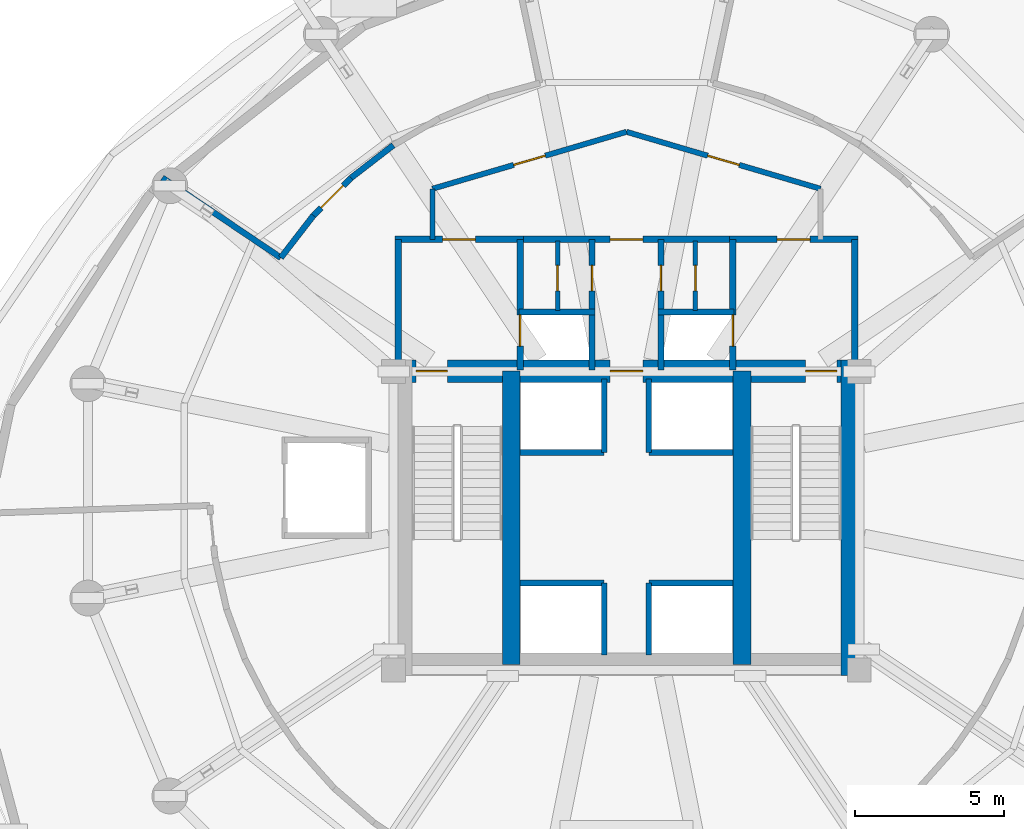
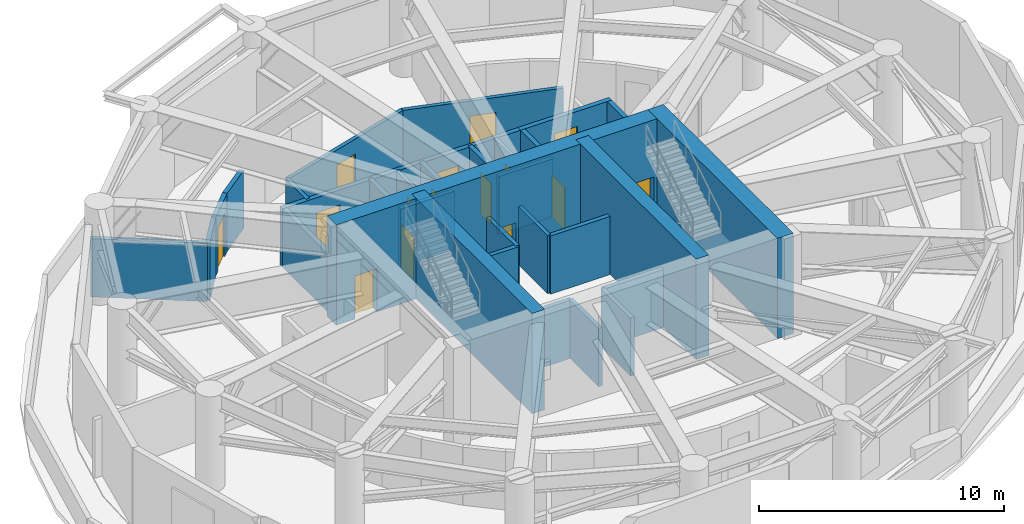
# One storey, part 4 of 7: 32 walls, 15 doors, 15 openings.
"""IFC4 building model written with IfcOpenShell, lengths in metres."""

from ifc_helpers import new_model, si_unit, direction, frame, frame_2d, origin, place, context, subcontext, project, spatial, rectangle, extrude, material, layer, layer_set, type_object, element, fill, save


model = new_model("IFC4")

# Units and contexts
model_context = context("Model", 3, precision=1e-05, world=origin(), true_north=direction((0.0, 1.0)))
body_context = subcontext(model_context, "Body", "Model", "MODEL_VIEW")
ifc_project = project(units=[si_unit("LENGTHUNIT", "METRE"), si_unit("AREAUNIT", "SQUARE_METRE"), si_unit("VOLUMEUNIT", "CUBIC_METRE"), si_unit("PLANEANGLEUNIT", "RADIAN"), si_unit("MASSUNIT", "GRAM", prefix="KILO"), si_unit("THERMODYNAMICTEMPERATUREUNIT", "KELVIN"), si_unit("POWERUNIT", "WATT")], contexts=[model_context])

# Site, building, storey
site_placement = place(None, origin())
site = spatial("IfcSite", under=ifc_project, at=site_placement, CompositionType="ELEMENT")
building_placement = place(site_placement, origin())
building = spatial("IfcBuilding", under=site, at=building_placement, Name="Ocrelia Relay Tower", CompositionType="ELEMENT")
storey_placement = place(building_placement, frame((0.0, 0.0, 157.800048828125)))
storey = spatial("IfcBuildingStorey", under=building, at=storey_placement, Name="L37", CompositionType="ELEMENT", Elevation=157.800048828125)

# Wall, openings, doors
ifc_material_1 = material(Name="Concrete C60/75", Category="concrete")
ifc_layer_1 = layer(ifc_material_1, 0.75, Name="Concrete C60/75")
ifc_layer_set_1 = layer_set([ifc_layer_1], Name="Concrete C60/75")
wall_type_1 = type_object("IfcWallType", Name="CW-CORE-750", PredefinedType="SHEAR", material=ifc_layer_set_1)
wall_1_placement = place(storey_placement, frame((26.072021484375, 30.012939453125, 0.0), z_axis=(0.0, 0.0, 1.0), x_axis=(1.0, 0.0, 0.0)))
wall_1 = element("IfcWall", 1, at=wall_1_placement, inside=storey, type_object=wall_type_1, Name="L37 Core Shear Wall N", PredefinedType="SHEAR", context=body_context, shape_type="SweptSolid", body=[
    extrude(rectangle(XDim=15.865966796875, YDim=0.75, at=frame_2d((7.93310546875, 0.0))), origin(), (0.0, 0.0, 1.0), 5.0),
])
opening_1_placement = place(wall_1_placement, frame((0.8779296875, 0.0, 0.0)))
opening_1 = element("IfcOpeningElement", 2, at=opening_1_placement, cuts=wall_1, Name="Opening D-FD90", PredefinedType="OPENING", context=body_context, shape_type="SweptSolid", body=[
    extrude(rectangle(XDim=1.050048828125, YDim=2.14990234375, at=frame_2d((0.52490234375, 1.074951171875))), frame((0.0, 0.385009765625, 0.0), z_axis=(0.0, -1.0, 0.0), x_axis=(1.0, 0.0, 0.0)), (0.0, 0.0, 1.0), 0.77001953125),
])
opening_2_placement = place(wall_1_placement, frame((13.927978515625, 0.0, 0.0)))
opening_2 = element("IfcOpeningElement", 3, at=opening_2_placement, cuts=wall_1, Name="Opening D-FD90", PredefinedType="OPENING", context=body_context, shape_type="SweptSolid", body=[
    extrude(rectangle(XDim=1.050048828125, YDim=2.14990234375, at=frame_2d((0.52490234375, 1.074951171875))), frame((0.0, 0.385009765625, 0.0), z_axis=(0.0, -1.0, 0.0), x_axis=(1.0, 0.0, 0.0)), (0.0, 0.0, 1.0), 0.77001953125),
])
opening_3_placement = place(wall_1_placement, frame((7.3779296875, 0.0, 0.0)))
opening_3 = element("IfcOpeningElement", 4, at=opening_3_placement, cuts=wall_1, Name="Opening D-FD60", PredefinedType="OPENING", context=body_context, shape_type="SweptSolid", body=[
    extrude(rectangle(XDim=1.10009765625, YDim=2.14990234375, at=frame_2d((0.550048828125, 1.074951171875))), frame((0.0, 0.385009765625, 0.0), z_axis=(0.0, -1.0, 0.0), x_axis=(1.0, 0.0, 0.0)), (0.0, 0.0, 1.0), 0.77001953125),
])
ifc_material_2 = material(Name="Timber-core 60-min acoustic fire door", Category="wood")
door_type_1 = type_object("IfcDoorType", Name="DR-LOBBY-FD60-1100", OperationType="NOTDEFINED", PredefinedType="DOOR", material=ifc_material_2)
door_1_placement = place(opening_3_placement, origin())
door_1 = element("IfcDoor", 5, at=door_1_placement, inside=storey, type_object=door_type_1, Name="L37 Core Lift Lobby North Fire Door", OperationType="SINGLE_SWING_RIGHT", OverallHeight=2.14990234375, OverallWidth=1.10009765625, PredefinedType="DOOR", context=body_context, shape_type="SweptSolid", body=[
    extrude(rectangle(XDim=1.10009765625, YDim=2.14990234375, at=frame_2d((0.550048828125, 1.074951171875))), frame((0.0, 0.02490234375, 0.0), z_axis=(0.0, -1.0, 0.0), x_axis=(1.0, 0.0, 0.0)), (0.0, 0.0, 1.0), 0.050048828125),
])
fill(opening_3, door_1)
ifc_material_3 = material(Name="Steel S355 90-min fire door", Category="steel")
door_type_2 = type_object("IfcDoorType", Name="DR-STAIR-FD90-1050", OperationType="NOTDEFINED", PredefinedType="DOOR", material=ifc_material_3)
door_2_placement = place(opening_1_placement, origin())
door_2 = element("IfcDoor", 6, at=door_2_placement, inside=storey, type_object=door_type_2, Name="L37 Stair ST1 Fire Door", OperationType="SINGLE_SWING_RIGHT", OverallHeight=2.14990234375, OverallWidth=1.050048828125, PredefinedType="DOOR", context=body_context, shape_type="SweptSolid", body=[
    extrude(rectangle(XDim=1.050048828125, YDim=2.14990234375, at=frame_2d((0.52490234375, 1.074951171875))), frame((0.0, 0.02490234375, 0.0), z_axis=(0.0, -1.0, 0.0), x_axis=(1.0, 0.0, 0.0)), (0.0, 0.0, 1.0), 0.050048828125),
])
fill(opening_1, door_2)
door_3_placement = place(opening_2_placement, origin())
door_3 = element("IfcDoor", 7, at=door_3_placement, inside=storey, type_object=door_type_2, Name="L37 Stair ST2 Fire Door", OperationType="SINGLE_SWING_LEFT", OverallHeight=2.14990234375, OverallWidth=1.050048828125, PredefinedType="DOOR", context=body_context, shape_type="SweptSolid", body=[
    extrude(rectangle(XDim=1.050048828125, YDim=2.14990234375, at=frame_2d((0.52490234375, 1.074951171875))), frame((0.0, 0.02490234375, 0.0), z_axis=(0.0, -1.0, 0.0), x_axis=(1.0, 0.0, 0.0)), (0.0, 0.0, 1.0), 0.050048828125),
])
fill(opening_2, door_3)

# Walls
wall_2_placement = place(storey_placement, frame((41.56298828125, 19.81201171875, 0.0), z_axis=(0.0, 0.0, 1.0), x_axis=(0.0, 1.0, 0.0)))
element("IfcWall", 8, at=wall_2_placement, inside=storey, type_object=wall_type_1, Name="L37 Core Shear Wall E", PredefinedType="SHEAR", context=body_context, shape_type="SweptSolid", body=[
    extrude(rectangle(XDim=10.575927734375, YDim=0.75, at=frame_2d((5.2880859375, 0.0))), origin(), (0.0, 0.0, 1.0), 5.0),
])
for number, where, z_axis, x_axis, name in (
    (9, (30.137939453125, 20.18701171875, 0.0), (0.0, 0.0, 1.0), (0.0, 1.0, 0.0), "L37 Core Shear Wall SPW"),
    (10, (37.8720703125, 20.18701171875, 0.0), (0.0, 0.0, 1.0), (0.0, 1.0, 0.0), "L37 Core Shear Wall SPE"),
):
    element("IfcWall", number, at=place(storey_placement, frame(where, z_axis=z_axis, x_axis=x_axis)), inside=storey, type_object=wall_type_1, Name=name, PredefinedType="SHEAR", context=body_context, shape_type="SweptSolid", body=[
        extrude(rectangle(XDim=9.825927734375, YDim=0.60009765625, at=frame_2d((4.9130859375, 0.0))), origin(), (0.0, 0.0, 1.0), 5.0),
    ])
ifc_material_4 = material(Name="Gypsum Fireboard Partition EI60", Category="gypsum")
ifc_layer_2 = layer(ifc_material_4, 0.179931640625, Name="Gypsum Fireboard Partition EI60")
ifc_layer_set_2 = layer_set([ifc_layer_2], Name="Gypsum Fireboard Partition EI60")
wall_type_2 = type_object("IfcWallType", Name="W-CORR-EI60-180", PredefinedType="PARTITIONING", material=ifc_layer_set_2)
wall_3_placement = place(storey_placement, frame((27.5, 34.429931640625, 0.0), z_axis=(0.0, 0.0, 1.0), x_axis=(0.0, 1.0, 0.0)))
element("IfcWall", 11, at=wall_3_placement, inside=storey, type_object=wall_type_2, Name="L37 Smoke Lobby West Return", PredefinedType="PARTITIONING", context=body_context, shape_type="SweptSolid", body=[
    extrude(rectangle(XDim=1.69287109375, YDim=0.179931640625, at=frame_2d((0.846435546875, 0.0))), origin(), (0.0, 0.0, 1.0), 2.89990234375),
])

# Wall, opening, door
wall_4_placement = place(storey_placement, frame((27.5, 36.122802734375, 0.0), z_axis=(0.0, 0.0, 1.0), x_axis=(0.959546654541, 0.281549671923, 0.0)))
wall_4 = element("IfcWall", 12, at=wall_4_placement, inside=storey, type_object=wall_type_2, Name="L37 North Smoke Lobby W Screen Wall", PredefinedType="PARTITIONING", context=body_context, shape_type="SweptSolid", body=[
    extrude(rectangle(XDim=6.77392578125, YDim=0.179931640625, at=frame_2d((3.386962890625, 0.0))), origin(), (0.0, 0.0, 1.0), 2.89990234375),
])
opening_4_placement = place(wall_4_placement, frame((2.8369140625, 0.0, 0.0)))
opening_4 = element("IfcOpeningElement", 13, at=opening_4_placement, cuts=wall_4, Name="Opening D-FD60", PredefinedType="OPENING", context=body_context, shape_type="SweptSolid", body=[
    extrude(rectangle(XDim=1.10009765625, YDim=2.14990234375, at=frame_2d((0.550048828125, 1.074951171875))), frame((0.0, 0.10009765625, 0.0), z_axis=(0.0, -1.0, 0.0), x_axis=(1.0, 0.0, 0.0)), (0.0, 0.0, 1.0), 0.199951171875),
])
door_4_placement = place(opening_4_placement, origin())
door_4 = element("IfcDoor", 14, at=door_4_placement, inside=storey, type_object=door_type_1, Name="L37 North Smoke Lobby W Fire Door", OperationType="SINGLE_SWING_RIGHT", OverallHeight=2.14990234375, OverallWidth=1.10009765625, PredefinedType="DOOR", context=body_context, shape_type="SweptSolid", body=[
    extrude(rectangle(XDim=1.10009765625, YDim=2.14990234375, at=frame_2d((0.550048828125, 1.074951171875))), frame((0.0, 0.02490234375, 0.0), z_axis=(0.0, -1.0, 0.0), x_axis=(1.0, 0.0, 0.0)), (0.0, 0.0, 1.0), 0.050048828125),
])
fill(opening_4, door_4)

wall_5_placement = place(storey_placement, frame((34.0, 38.030029296875, 0.0), z_axis=(0.0, 0.0, 1.0), x_axis=(0.959546654541, -0.281549671923, 0.0)))
wall_5 = element("IfcWall", 15, at=wall_5_placement, inside=storey, type_object=wall_type_2, Name="L37 North Smoke Lobby E Screen Wall", PredefinedType="PARTITIONING", context=body_context, shape_type="SweptSolid", body=[
    extrude(rectangle(XDim=6.77392578125, YDim=0.179931640625, at=frame_2d((3.386962890625, 0.0))), origin(), (0.0, 0.0, 1.0), 2.89990234375),
])
opening_5_placement = place(wall_5_placement, frame((2.8369140625, 0.0, 0.0)))
opening_5 = element("IfcOpeningElement", 16, at=opening_5_placement, cuts=wall_5, Name="Opening D-FD60", PredefinedType="OPENING", context=body_context, shape_type="SweptSolid", body=[
    extrude(rectangle(XDim=1.10009765625, YDim=2.14990234375, at=frame_2d((0.550048828125, 1.074951171875))), frame((0.0, 0.10009765625, 0.0), z_axis=(0.0, -1.0, 0.0), x_axis=(1.0, 0.0, 0.0)), (0.0, 0.0, 1.0), 0.199951171875),
])
door_5_placement = place(opening_5_placement, origin())
door_5 = element("IfcDoor", 17, at=door_5_placement, inside=storey, type_object=door_type_1, Name="L37 North Smoke Lobby E Fire Door", OperationType="SINGLE_SWING_LEFT", OverallHeight=2.14990234375, OverallWidth=1.10009765625, PredefinedType="DOOR", context=body_context, shape_type="SweptSolid", body=[
    extrude(rectangle(XDim=1.10009765625, YDim=2.14990234375, at=frame_2d((0.550048828125, 1.074951171875))), frame((0.0, 0.02490234375, 0.0), z_axis=(0.0, -1.0, 0.0), x_axis=(1.0, 0.0, 0.0)), (0.0, 0.0, 1.0), 0.050048828125),
])
fill(opening_5, door_5)

# Wall
ifc_material_5 = material(Name="Concrete C50/60", Category="concrete")
ifc_layer_3 = layer(ifc_material_5, 0.219970703125, Name="Concrete C50/60")
ifc_layer_set_3 = layer_set([ifc_layer_3], Name="Concrete C50/60")
wall_type_3 = type_object("IfcWallType", Name="W-FFL-EI120-220", PredefinedType="SOLIDWALL", material=ifc_layer_set_3)
wall_6_placement = place(storey_placement, frame((26.35009765625, 30.050048828125, 0.0), z_axis=(0.0, 0.0, 1.0), x_axis=(0.0, 1.0, 0.0)))
element("IfcWall", 18, at=wall_6_placement, inside=storey, type_object=wall_type_3, Name="L37 W Fire Service Lift Lobby West Wall", PredefinedType="SOLIDWALL", context=body_context, shape_type="SweptSolid", body=[
    extrude(rectangle(XDim=4.3798828125, YDim=0.219970703125, at=frame_2d((2.18994140625, 0.0))), origin(), (0.0, 0.0, 1.0), 2.89990234375),
])

# Wall, opening, door
wall_7_placement = place(storey_placement, frame((30.43994140625, 30.050048828125, 0.0), z_axis=(0.0, 0.0, 1.0), x_axis=(0.0, 1.0, 0.0)))
wall_7 = element("IfcWall", 19, at=wall_7_placement, inside=storey, type_object=wall_type_3, Name="L37 W Fire Service Lift Lobby East Wall", PredefinedType="SOLIDWALL", context=body_context, shape_type="SweptSolid", body=[
    extrude(rectangle(XDim=4.3798828125, YDim=0.219970703125, at=frame_2d((2.18994140625, 0.0))), origin(), (0.0, 0.0, 1.0), 2.89990234375),
])
opening_6_placement = place(wall_7_placement, frame((0.800048828125, 0.0, 0.0)))
opening_6 = element("IfcOpeningElement", 20, at=opening_6_placement, cuts=wall_7, Name="Opening LD-FFL1", PredefinedType="OPENING", context=body_context, shape_type="SweptSolid", body=[
    extrude(rectangle(XDim=1.050048828125, YDim=2.10009765625, at=frame_2d((0.52490234375, 1.050048828125))), frame((0.0, 0.1201171875, 0.0), z_axis=(0.0, -1.0, 0.0), x_axis=(1.0, 0.0, 0.0)), (0.0, 0.0, 1.0), 0.239990234375),
])
ifc_material_6 = material(Name="Brushed stainless steel S355 lift landing door", Category="steel")
door_type_3 = type_object("IfcDoorType", Name="DR-LIFT-LAND-1050", OperationType="DOUBLE_DOOR_SLIDING", PredefinedType="USERDEFINED", material=ifc_material_6)
door_6_placement = place(opening_6_placement, origin())
door_6 = element("IfcDoor", 21, at=door_6_placement, inside=storey, type_object=door_type_3, Name="L37 Firefighting Lift FFL1 Sliding Landing Door", ObjectType="LANDING DOOR", OperationType="DOUBLE_DOOR_SLIDING", OverallHeight=2.10009765625, OverallWidth=1.050048828125, PredefinedType="USERDEFINED", context=body_context, shape_type="SweptSolid", body=[
    extrude(rectangle(XDim=1.050048828125, YDim=2.10009765625, at=frame_2d((0.52490234375, 1.050048828125))), frame((0.0, 0.02490234375, 0.0), z_axis=(0.0, -1.0, 0.0), x_axis=(1.0, 0.0, 0.0)), (0.0, 0.0, 1.0), 0.050048828125),
])
fill(opening_6, door_6)

wall_8_placement = place(storey_placement, frame((26.239990234375, 34.429931640625, 0.0), z_axis=(0.0, 0.0, 1.0), x_axis=(1.0, 0.0, 0.0)))
wall_8 = element("IfcWall", 22, at=wall_8_placement, inside=storey, type_object=wall_type_3, Name="L37 W Fire Service Lift Lobby North Wall", PredefinedType="SOLIDWALL", context=body_context, shape_type="SweptSolid", body=[
    extrude(rectangle(XDim=4.31005859375, YDim=0.219970703125, at=frame_2d((2.155029296875, 0.0))), origin(), (0.0, 0.0, 1.0), 2.89990234375),
])
opening_7_placement = place(wall_8_placement, frame((1.60009765625, 0.0, 0.0)))
opening_7 = element("IfcOpeningElement", 23, at=opening_7_placement, cuts=wall_8, Name="Opening D-FD60", PredefinedType="OPENING", context=body_context, shape_type="SweptSolid", body=[
    extrude(rectangle(XDim=1.10009765625, YDim=2.14990234375, at=frame_2d((0.550048828125, 1.074951171875))), frame((0.0, 0.1201171875, 0.0), z_axis=(0.0, -1.0, 0.0), x_axis=(1.0, 0.0, 0.0)), (0.0, 0.0, 1.0), 0.239990234375),
])
door_7_placement = place(opening_7_placement, origin())
door_7 = element("IfcDoor", 24, at=door_7_placement, inside=storey, type_object=door_type_1, Name="L37 W Fire Service Lift Lobby Exit Door", OperationType="SINGLE_SWING_LEFT", OverallHeight=2.14990234375, OverallWidth=1.10009765625, PredefinedType="DOOR", context=body_context, shape_type="SweptSolid", body=[
    extrude(rectangle(XDim=1.10009765625, YDim=2.14990234375, at=frame_2d((0.550048828125, 1.074951171875))), frame((0.0, 0.02490234375, 0.0), z_axis=(0.0, -1.0, 0.0), x_axis=(1.0, 0.0, 0.0)), (0.0, 0.0, 1.0), 0.050048828125),
])
fill(opening_7, door_7)

wall_9_placement = place(storey_placement, frame((37.56005859375, 30.050048828125, 0.0), z_axis=(0.0, 0.0, 1.0), x_axis=(0.0, 1.0, 0.0)))
wall_9 = element("IfcWall", 25, at=wall_9_placement, inside=storey, type_object=wall_type_3, Name="L37 E Fire Service Lift Lobby West Wall", PredefinedType="SOLIDWALL", context=body_context, shape_type="SweptSolid", body=[
    extrude(rectangle(XDim=4.3798828125, YDim=0.219970703125, at=frame_2d((2.18994140625, 0.0))), origin(), (0.0, 0.0, 1.0), 2.89990234375),
])
opening_8_placement = place(wall_9_placement, frame((0.800048828125, 0.0, 0.0)))
opening_8 = element("IfcOpeningElement", 26, at=opening_8_placement, cuts=wall_9, Name="Opening LD-FFL2", PredefinedType="OPENING", context=body_context, shape_type="SweptSolid", body=[
    extrude(rectangle(XDim=1.050048828125, YDim=2.10009765625, at=frame_2d((0.52490234375, 1.050048828125))), frame((0.0, 0.1201171875, 0.0), z_axis=(0.0, -1.0, 0.0), x_axis=(1.0, 0.0, 0.0)), (0.0, 0.0, 1.0), 0.239990234375),
])
door_8_placement = place(opening_8_placement, origin())
door_8 = element("IfcDoor", 27, at=door_8_placement, inside=storey, type_object=door_type_3, Name="L37 Firefighting Lift FFL2 Sliding Landing Door", ObjectType="LANDING DOOR", OperationType="DOUBLE_DOOR_SLIDING", OverallHeight=2.10009765625, OverallWidth=1.050048828125, PredefinedType="USERDEFINED", context=body_context, shape_type="SweptSolid", body=[
    extrude(rectangle(XDim=1.050048828125, YDim=2.10009765625, at=frame_2d((0.52490234375, 1.050048828125))), frame((0.0, 0.02490234375, 0.0), z_axis=(0.0, -1.0, 0.0), x_axis=(1.0, 0.0, 0.0)), (0.0, 0.0, 1.0), 0.050048828125),
])
fill(opening_8, door_8)

# Wall
wall_10_placement = place(storey_placement, frame((41.64990234375, 30.050048828125, 0.0), z_axis=(0.0, 0.0, 1.0), x_axis=(0.0, 1.0, 0.0)))
element("IfcWall", 28, at=wall_10_placement, inside=storey, type_object=wall_type_3, Name="L37 E Fire Service Lift Lobby East Wall", PredefinedType="SOLIDWALL", context=body_context, shape_type="SweptSolid", body=[
    extrude(rectangle(XDim=4.3798828125, YDim=0.219970703125, at=frame_2d((2.18994140625, 0.0))), origin(), (0.0, 0.0, 1.0), 2.89990234375),
])

# Wall, opening, door
wall_11_placement = place(storey_placement, frame((37.449951171875, 34.429931640625, 0.0), z_axis=(0.0, 0.0, 1.0), x_axis=(1.0, 0.0, 0.0)))
wall_11 = element("IfcWall", 29, at=wall_11_placement, inside=storey, type_object=wall_type_3, Name="L37 E Fire Service Lift Lobby North Wall", PredefinedType="SOLIDWALL", context=body_context, shape_type="SweptSolid", body=[
    extrude(rectangle(XDim=4.31005859375, YDim=0.219970703125, at=frame_2d((2.155029296875, 0.0))), origin(), (0.0, 0.0, 1.0), 2.89990234375),
])
opening_9_placement = place(wall_11_placement, frame((1.60009765625, 0.0, 0.0)))
opening_9 = element("IfcOpeningElement", 30, at=opening_9_placement, cuts=wall_11, Name="Opening D-FD60", PredefinedType="OPENING", context=body_context, shape_type="SweptSolid", body=[
    extrude(rectangle(XDim=1.10009765625, YDim=2.14990234375, at=frame_2d((0.550048828125, 1.074951171875))), frame((0.0, 0.1201171875, 0.0), z_axis=(0.0, -1.0, 0.0), x_axis=(1.0, 0.0, 0.0)), (0.0, 0.0, 1.0), 0.239990234375),
])
door_9_placement = place(opening_9_placement, origin())
door_9 = element("IfcDoor", 31, at=door_9_placement, inside=storey, type_object=door_type_1, Name="L37 E Fire Service Lift Lobby Exit Door", OperationType="SINGLE_SWING_LEFT", OverallHeight=2.14990234375, OverallWidth=1.10009765625, PredefinedType="DOOR", context=body_context, shape_type="SweptSolid", body=[
    extrude(rectangle(XDim=1.10009765625, YDim=2.14990234375, at=frame_2d((0.550048828125, 1.074951171875))), frame((0.0, 0.02490234375, 0.0), z_axis=(0.0, -1.0, 0.0), x_axis=(1.0, 0.0, 0.0)), (0.0, 0.0, 1.0), 0.050048828125),
])
fill(opening_9, door_9)

wall_12_placement = place(storey_placement, frame((30.43994140625, 34.429931640625, 0.0), z_axis=(0.0, 0.0, 1.0), x_axis=(1.0, 0.0, 0.0)))
wall_12 = element("IfcWall", 32, at=wall_12_placement, inside=storey, type_object=wall_type_3, Name="L37 North Core Vestibule Wall", PredefinedType="SOLIDWALL", context=body_context, shape_type="SweptSolid", body=[
    extrude(rectangle(XDim=7.1201171875, YDim=0.219970703125, at=frame_2d((3.56005859375, 0.0))), origin(), (0.0, 0.0, 1.0), 2.89990234375),
])
opening_10_placement = place(wall_12_placement, frame((3.010009765625, 0.0, 0.0)))
opening_10 = element("IfcOpeningElement", 33, at=opening_10_placement, cuts=wall_12, Name="Opening D-FD60", PredefinedType="OPENING", context=body_context, shape_type="SweptSolid", body=[
    extrude(rectangle(XDim=1.10009765625, YDim=2.14990234375, at=frame_2d((0.550048828125, 1.074951171875))), frame((0.0, 0.1201171875, 0.0), z_axis=(0.0, -1.0, 0.0), x_axis=(1.0, 0.0, 0.0)), (0.0, 0.0, 1.0), 0.239990234375),
])
door_10_placement = place(opening_10_placement, origin())
door_10 = element("IfcDoor", 34, at=door_10_placement, inside=storey, type_object=door_type_1, Name="L37 North Core Vestibule Corridor Door", OperationType="SINGLE_SWING_LEFT", OverallHeight=2.14990234375, OverallWidth=1.10009765625, PredefinedType="DOOR", context=body_context, shape_type="SweptSolid", body=[
    extrude(rectangle(XDim=1.10009765625, YDim=2.14990234375, at=frame_2d((0.550048828125, 1.074951171875))), frame((0.0, 0.02490234375, 0.0), z_axis=(0.0, -1.0, 0.0), x_axis=(1.0, 0.0, 0.0)), (0.0, 0.0, 1.0), 0.050048828125),
])
fill(opening_10, door_10)

ifc_material_7 = material(Name="Acoustic Fireboard Partition EI60", Category="gypsum")
ifc_layer_4 = layer(ifc_material_7, 0.14990234375, Name="Acoustic Fireboard Partition EI60")
ifc_layer_set_4 = layer_set([ifc_layer_4], Name="Acoustic Fireboard Partition EI60")
wall_type_4 = type_object("IfcWallType", Name="W-PART-150", PredefinedType="PARTITIONING", material=ifc_layer_set_4)
wall_13_placement = place(storey_placement, frame((31.68994140625, 32.050048828125, 0.0), z_axis=(0.0, 0.0, 1.0), x_axis=(0.0, 1.0, 0.0)))
wall_13 = element("IfcWall", 35, at=wall_13_placement, inside=storey, type_object=wall_type_4, Name="L37 West Core Support Partition", PredefinedType="PARTITIONING", context=body_context, shape_type="SweptSolid", body=[
    extrude(rectangle(XDim=2.329833984375, YDim=0.14990234375, at=frame_2d((1.1650390625, 0.0))), origin(), (0.0, 0.0, 1.0), 2.89990234375),
])
opening_11_placement = place(wall_13_placement, frame((0.64990234375, 0.0, 0.0)))
opening_11 = element("IfcOpeningElement", 36, at=opening_11_placement, cuts=wall_13, Name="Opening D-RS86", PredefinedType="OPENING", context=body_context, shape_type="SweptSolid", body=[
    extrude(rectangle(XDim=0.860107421875, YDim=2.050048828125, at=frame_2d((0.43017578125, 1.02490234375))), frame((0.0, 0.0849609375, 0.0), z_axis=(0.0, -1.0, 0.0), x_axis=(1.0, 0.0, 0.0)), (0.0, 0.0, 1.0), 0.169921875),
])
ifc_material_8 = material(Name="Steel S355 riser access fire door", Category="steel")
door_type_4 = type_object("IfcDoorType", Name="DR-RISER-TRAP-860", OperationType="NOTDEFINED", PredefinedType="TRAPDOOR", material=ifc_material_8)
door_11_placement = place(opening_11_placement, origin())
door_11 = element("IfcDoor", 37, at=door_11_placement, inside=storey, type_object=door_type_4, Name="L37 West Core Store Connecting Door", OperationType="SINGLE_SWING_RIGHT", OverallHeight=2.050048828125, OverallWidth=0.860107421875, PredefinedType="TRAPDOOR", context=body_context, shape_type="SweptSolid", body=[
    extrude(rectangle(XDim=0.860107421875, YDim=2.050048828125, at=frame_2d((0.43017578125, 1.02490234375))), frame((0.0, 0.02490234375, 0.0), z_axis=(0.0, -1.0, 0.0), x_axis=(1.0, 0.0, 0.0)), (0.0, 0.0, 1.0), 0.050048828125),
])
fill(opening_11, door_11)

wall_14_placement = place(storey_placement, frame((36.31005859375, 32.050048828125, 0.0), z_axis=(0.0, 0.0, 1.0), x_axis=(0.0, 1.0, 0.0)))
wall_14 = element("IfcWall", 38, at=wall_14_placement, inside=storey, type_object=wall_type_4, Name="L37 East Core Support Partition", PredefinedType="PARTITIONING", context=body_context, shape_type="SweptSolid", body=[
    extrude(rectangle(XDim=2.329833984375, YDim=0.14990234375, at=frame_2d((1.1650390625, 0.0))), origin(), (0.0, 0.0, 1.0), 2.89990234375),
])
opening_12_placement = place(wall_14_placement, frame((0.64990234375, 0.0, 0.0)))
opening_12 = element("IfcOpeningElement", 39, at=opening_12_placement, cuts=wall_14, Name="Opening D-RS86", PredefinedType="OPENING", context=body_context, shape_type="SweptSolid", body=[
    extrude(rectangle(XDim=0.860107421875, YDim=2.050048828125, at=frame_2d((0.43017578125, 1.02490234375))), frame((0.0, 0.0849609375, 0.0), z_axis=(0.0, -1.0, 0.0), x_axis=(1.0, 0.0, 0.0)), (0.0, 0.0, 1.0), 0.169921875),
])
door_12_placement = place(opening_12_placement, origin())
door_12 = element("IfcDoor", 40, at=door_12_placement, inside=storey, type_object=door_type_4, Name="L37 East Core Store Connecting Door", OperationType="SINGLE_SWING_LEFT", OverallHeight=2.050048828125, OverallWidth=0.860107421875, PredefinedType="TRAPDOOR", context=body_context, shape_type="SweptSolid", body=[
    extrude(rectangle(XDim=0.860107421875, YDim=2.050048828125, at=frame_2d((0.43017578125, 1.02490234375))), frame((0.0, 0.02490234375, 0.0), z_axis=(0.0, -1.0, 0.0), x_axis=(1.0, 0.0, 0.0)), (0.0, 0.0, 1.0), 0.050048828125),
])
fill(opening_12, door_12)

# Wall
ifc_layer_5 = layer(ifc_material_5, 0.199951171875, Name="Concrete C50/60")
ifc_layer_set_5 = layer_set([ifc_layer_5], Name="Concrete C50/60")
wall_type_5 = type_object("IfcWallType", Name="W-SHAFT-EI120-200", PredefinedType="SOLIDWALL", material=ifc_layer_set_5)
wall_15_placement = place(storey_placement, frame((30.39990234375, 32.0, 0.0), z_axis=(0.0, 0.0, 1.0), x_axis=(1.0, 0.0, 0.0)))
element("IfcWall", 41, at=wall_15_placement, inside=storey, type_object=wall_type_5, Name="L37 FFL1 Hoistway North Wall", PredefinedType="SOLIDWALL", context=body_context, shape_type="SweptSolid", body=[
    extrude(rectangle(XDim=2.550048828125, YDim=0.199951171875, at=frame_2d((1.27490234375, 0.0))), origin(), (0.0, 0.0, 1.0), 2.89990234375),
])

# Wall, opening, door
wall_16_placement = place(storey_placement, frame((32.85009765625, 30.050048828125, 0.0), z_axis=(0.0, 0.0, 1.0), x_axis=(0.0, 1.0, 0.0)))
wall_16 = element("IfcWall", 42, at=wall_16_placement, inside=storey, type_object=wall_type_5, Name="L37 FFL1 and Service Vestibule Wall", PredefinedType="SOLIDWALL", context=body_context, shape_type="SweptSolid", body=[
    extrude(rectangle(XDim=4.3798828125, YDim=0.199951171875, at=frame_2d((2.18994140625, 0.0))), origin(), (0.0, 0.0, 1.0), 2.89990234375),
])
opening_13_placement = place(wall_16_placement, frame((2.64990234375, 0.0, 0.0)))
opening_13 = element("IfcOpeningElement", 43, at=opening_13_placement, cuts=wall_16, Name="Opening D-RS86", PredefinedType="OPENING", context=body_context, shape_type="SweptSolid", body=[
    extrude(rectangle(XDim=0.860107421875, YDim=2.050048828125, at=frame_2d((0.43017578125, 1.02490234375))), frame((0.0, 0.10986328125, 0.0), z_axis=(0.0, -1.0, 0.0), x_axis=(1.0, 0.0, 0.0)), (0.0, 0.0, 1.0), 0.219970703125),
])
door_13_placement = place(opening_13_placement, origin())
door_13 = element("IfcDoor", 44, at=door_13_placement, inside=storey, type_object=door_type_4, Name="L37 Core Support Room W Door", OperationType="SINGLE_SWING_RIGHT", OverallHeight=2.050048828125, OverallWidth=0.860107421875, PredefinedType="TRAPDOOR", context=body_context, shape_type="SweptSolid", body=[
    extrude(rectangle(XDim=0.860107421875, YDim=2.050048828125, at=frame_2d((0.43017578125, 1.02490234375))), frame((0.0, 0.02490234375, 0.0), z_axis=(0.0, -1.0, 0.0), x_axis=(1.0, 0.0, 0.0)), (0.0, 0.0, 1.0), 0.050048828125),
])
fill(opening_13, door_13)

# Wall
wall_17_placement = place(storey_placement, frame((35.050048828125, 32.0, 0.0), z_axis=(0.0, 0.0, 1.0), x_axis=(1.0, 0.0, 0.0)))
element("IfcWall", 45, at=wall_17_placement, inside=storey, type_object=wall_type_5, Name="L37 FFL2 Hoistway North Wall", PredefinedType="SOLIDWALL", context=body_context, shape_type="SweptSolid", body=[
    extrude(rectangle(XDim=2.550048828125, YDim=0.199951171875, at=frame_2d((1.27490234375, 0.0))), origin(), (0.0, 0.0, 1.0), 2.89990234375),
])

# Wall, opening, door
wall_18_placement = place(storey_placement, frame((35.14990234375, 30.050048828125, 0.0), z_axis=(0.0, 0.0, 1.0), x_axis=(0.0, 1.0, 0.0)))
wall_18 = element("IfcWall", 46, at=wall_18_placement, inside=storey, type_object=wall_type_5, Name="L37 FFL2 and Service Vestibule Wall", PredefinedType="SOLIDWALL", context=body_context, shape_type="SweptSolid", body=[
    extrude(rectangle(XDim=4.3798828125, YDim=0.199951171875, at=frame_2d((2.18994140625, 0.0))), origin(), (0.0, 0.0, 1.0), 2.89990234375),
])
opening_14_placement = place(wall_18_placement, frame((2.64990234375, 0.0, 0.0)))
opening_14 = element("IfcOpeningElement", 47, at=opening_14_placement, cuts=wall_18, Name="Opening D-RS86", PredefinedType="OPENING", context=body_context, shape_type="SweptSolid", body=[
    extrude(rectangle(XDim=0.860107421875, YDim=2.050048828125, at=frame_2d((0.43017578125, 1.02490234375))), frame((0.0, 0.10986328125, 0.0), z_axis=(0.0, -1.0, 0.0), x_axis=(1.0, 0.0, 0.0)), (0.0, 0.0, 1.0), 0.219970703125),
])
door_14_placement = place(opening_14_placement, origin())
door_14 = element("IfcDoor", 48, at=door_14_placement, inside=storey, type_object=door_type_4, Name="L37 Core Support Room E Door", OperationType="SINGLE_SWING_RIGHT", OverallHeight=2.050048828125, OverallWidth=0.860107421875, PredefinedType="TRAPDOOR", context=body_context, shape_type="SweptSolid", body=[
    extrude(rectangle(XDim=0.860107421875, YDim=2.050048828125, at=frame_2d((0.43017578125, 1.02490234375))), frame((0.0, 0.02490234375, 0.0), z_axis=(0.0, -1.0, 0.0), x_axis=(1.0, 0.0, 0.0)), (0.0, 0.0, 1.0), 0.050048828125),
])
fill(opening_14, door_14)

# Walls
wall_19_placement = place(storey_placement, frame((30.43994140625, 22.919921875, 0.0), z_axis=(0.0, 0.0, 1.0), x_axis=(1.0, 0.0, 0.0)))
element("IfcWall", 49, at=wall_19_placement, inside=storey, type_object=wall_type_5, Name="L37 Low-Rise Lift Hoistway Wall W", PredefinedType="SOLIDWALL", context=body_context, shape_type="SweptSolid", body=[
    extrude(rectangle(XDim=2.81005859375, YDim=0.199951171875, at=frame_2d((1.405029296875, 0.0))), origin(), (0.0, 0.0, 1.0), 2.89990234375),
])
wall_20_placement = place(storey_placement, frame((33.25, 20.5, 0.0), z_axis=(0.0, 0.0, 1.0), x_axis=(0.0, 1.0, 0.0)))
element("IfcWall", 50, at=wall_20_placement, inside=storey, type_object=wall_type_5, Name="L37 Low-Rise Lift Throat Wall W", PredefinedType="SOLIDWALL", context=body_context, shape_type="SweptSolid", body=[
    extrude(rectangle(XDim=2.419921875, YDim=0.179931640625, at=frame_2d((1.2099609375, 0.0))), origin(), (0.0, 0.0, 1.0), 2.89990234375),
])
wall_21_placement = place(storey_placement, frame((34.75, 22.919921875, 0.0), z_axis=(0.0, 0.0, 1.0), x_axis=(1.0, 0.0, 0.0)))
element("IfcWall", 51, at=wall_21_placement, inside=storey, type_object=wall_type_5, Name="L37 Low-Rise Lift Hoistway Wall E", PredefinedType="SOLIDWALL", context=body_context, shape_type="SweptSolid", body=[
    extrude(rectangle(XDim=2.81005859375, YDim=0.199951171875, at=frame_2d((1.405029296875, 0.0))), origin(), (0.0, 0.0, 1.0), 2.89990234375),
])
wall_22_placement = place(storey_placement, frame((34.75, 20.5, 0.0), z_axis=(0.0, 0.0, 1.0), x_axis=(0.0, 1.0, 0.0)))
element("IfcWall", 52, at=wall_22_placement, inside=storey, type_object=wall_type_5, Name="L37 Low-Rise Lift Throat Wall E", PredefinedType="SOLIDWALL", context=body_context, shape_type="SweptSolid", body=[
    extrude(rectangle(XDim=2.419921875, YDim=0.179931640625, at=frame_2d((1.2099609375, 0.0))), origin(), (0.0, 0.0, 1.0), 2.89990234375),
])
wall_23_placement = place(storey_placement, frame((30.43994140625, 27.280029296875, 0.0), z_axis=(0.0, 0.0, 1.0), x_axis=(1.0, 0.0, 0.0)))
element("IfcWall", 53, at=wall_23_placement, inside=storey, type_object=wall_type_5, Name="L37 High-Rise Lift Hoistway Wall W", PredefinedType="SOLIDWALL", context=body_context, shape_type="SweptSolid", body=[
    extrude(rectangle(XDim=2.81005859375, YDim=0.199951171875, at=frame_2d((1.405029296875, 0.0))), origin(), (0.0, 0.0, 1.0), 2.89990234375),
])
wall_24_placement = place(storey_placement, frame((33.25, 27.280029296875, 0.0), z_axis=(0.0, 0.0, 1.0), x_axis=(0.0, 1.0, 0.0)))
element("IfcWall", 54, at=wall_24_placement, inside=storey, type_object=wall_type_5, Name="L37 High-Rise Lift Throat Wall W", PredefinedType="SOLIDWALL", context=body_context, shape_type="SweptSolid", body=[
    extrude(rectangle(XDim=2.469970703125, YDim=0.179931640625, at=frame_2d((1.23486328125, 0.0))), origin(), (0.0, 0.0, 1.0), 2.89990234375),
])
wall_25_placement = place(storey_placement, frame((34.75, 27.280029296875, 0.0), z_axis=(0.0, 0.0, 1.0), x_axis=(1.0, 0.0, 0.0)))
element("IfcWall", 55, at=wall_25_placement, inside=storey, type_object=wall_type_5, Name="L37 High-Rise Lift Hoistway Wall E", PredefinedType="SOLIDWALL", context=body_context, shape_type="SweptSolid", body=[
    extrude(rectangle(XDim=2.81005859375, YDim=0.199951171875, at=frame_2d((1.405029296875, 0.0))), origin(), (0.0, 0.0, 1.0), 2.89990234375),
])
wall_26_placement = place(storey_placement, frame((34.75, 27.280029296875, 0.0), z_axis=(0.0, 0.0, 1.0), x_axis=(0.0, 1.0, 0.0)))
element("IfcWall", 56, at=wall_26_placement, inside=storey, type_object=wall_type_5, Name="L37 High-Rise Lift Throat Wall E", PredefinedType="SOLIDWALL", context=body_context, shape_type="SweptSolid", body=[
    extrude(rectangle(XDim=2.469970703125, YDim=0.179931640625, at=frame_2d((1.23486328125, 0.0))), origin(), (0.0, 0.0, 1.0), 2.89990234375),
])
wall_27_placement = place(storey_placement, frame((22.418212890625, 33.81201171875, 0.0), z_axis=(0.0, 0.0, 1.0), x_axis=(0.611155812554, 0.791510311229, 0.0)))
element("IfcWall", 57, at=wall_27_placement, inside=storey, type_object=wall_type_5, Name="L37 West Area of Refuge Inner Wall 7", PredefinedType="SOLIDWALL", context=body_context, shape_type="SweptSolid", body=[
    extrude(rectangle(XDim=1.786865234375, YDim=0.199951171875, at=frame_2d((0.8935546875, 0.0))), origin(), (0.0, 0.0, 1.0), 2.89990234375),
])

# Wall, opening, door
wall_28_placement = place(storey_placement, frame((23.51025390625, 35.226318359375, 0.0), z_axis=(0.0, 0.0, 1.0), x_axis=(0.707106781187, 0.707106781187, 0.0)))
wall_28 = element("IfcWall", 58, at=wall_28_placement, inside=storey, type_object=wall_type_5, Name="L37 West Area of Refuge Inner Wall 8", PredefinedType="SOLIDWALL", context=body_context, shape_type="SweptSolid", body=[
    extrude(rectangle(XDim=1.786865234375, YDim=0.199951171875, at=frame_2d((0.8935546875, 0.0))), origin(), (0.0, 0.0, 1.0), 2.89990234375),
])
opening_15_placement = place(wall_28_placement, frame((0.368408203125, 0.0, 0.0)))
opening_15 = element("IfcOpeningElement", 59, at=opening_15_placement, cuts=wall_28, Name="Opening D-FD90", PredefinedType="OPENING", context=body_context, shape_type="SweptSolid", body=[
    extrude(rectangle(XDim=1.050048828125, YDim=2.14990234375, at=frame_2d((0.52490234375, 1.074951171875))), frame((0.0, 0.10986328125, 0.0), z_axis=(0.0, -1.0, 0.0), x_axis=(1.0, 0.0, 0.0)), (0.0, 0.0, 1.0), 0.219970703125),
])
door_15_placement = place(opening_15_placement, origin())
door_15 = element("IfcDoor", 60, at=door_15_placement, inside=storey, type_object=door_type_2, Name="L37 West Area of Refuge Fire Door", OperationType="SINGLE_SWING_RIGHT", OverallHeight=2.14990234375, OverallWidth=1.050048828125, PredefinedType="DOOR", context=body_context, shape_type="SweptSolid", body=[
    extrude(rectangle(XDim=1.050048828125, YDim=2.14990234375, at=frame_2d((0.52490234375, 1.074951171875))), frame((0.0, 0.02490234375, 0.0), z_axis=(0.0, -1.0, 0.0), x_axis=(1.0, 0.0, 0.0)), (0.0, 0.0, 1.0), 0.050048828125),
])
fill(opening_15, door_15)

# Walls
wall_29_placement = place(storey_placement, frame((24.773681640625, 36.48974609375, 0.0), z_axis=(0.0, 0.0, 1.0), x_axis=(0.791510311229, 0.611155812554, 0.0)))
element("IfcWall", 61, at=wall_29_placement, inside=storey, type_object=wall_type_5, Name="L37 West Area of Refuge Inner Wall 9", PredefinedType="SOLIDWALL", context=body_context, shape_type="SweptSolid", body=[
    extrude(rectangle(XDim=1.786865234375, YDim=0.199951171875, at=frame_2d((0.8935546875, 0.0))), origin(), (0.0, 0.0, 1.0), 2.89990234375),
])
wall_30_placement = place(storey_placement, frame((22.418212890625, 33.81201171875, 0.0), z_axis=(0.0, 0.0, 1.0), x_axis=(-0.829035873684, 0.559195422143, 0.0)))
element("IfcWall", 62, at=wall_30_placement, inside=storey, type_object=wall_type_5, Name="L37 West Area of Refuge Radial Wall R1", PredefinedType="SOLIDWALL", context=body_context, shape_type="SweptSolid", body=[
    extrude(rectangle(XDim=4.79150390625, YDim=0.199951171875, at=frame_2d((2.395751953125, 0.0))), origin(), (0.0, 0.0, 1.0), 2.89990234375),
])

save(model, "model.ifc")
